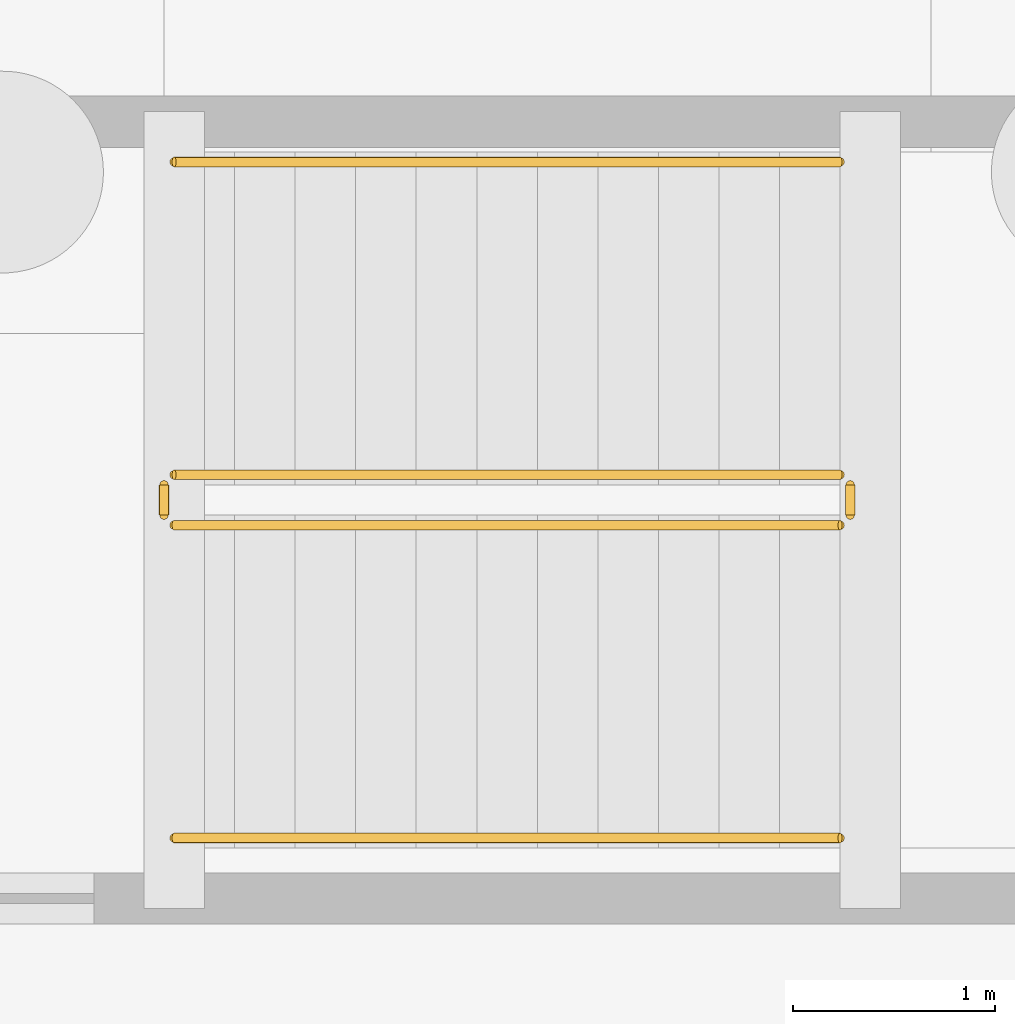
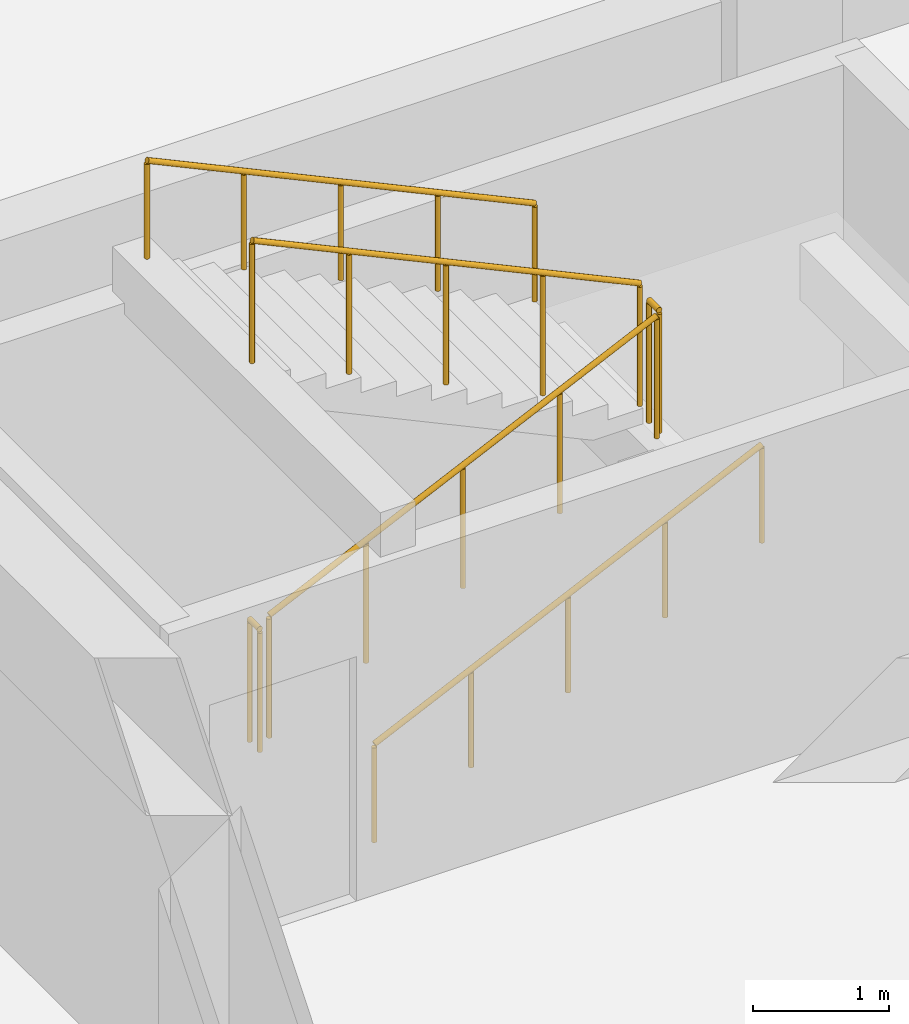
# One storey, part 57 of 70: 6 railings.
"""IFC4 building model written with IfcOpenShell, lengths in metres."""

from ifc_helpers import new_model, si_unit, direction, frame, origin, origin_2d, place, context, subcontext, project, spatial, circle, extrude, material, type_object, element, save


model = new_model("IFC4")

# Units and contexts
model_context = context("Model", 3, precision=1e-05, world=origin(), true_north=direction((0.0, 1.0)))
body_context = subcontext(model_context, "Body", "Model", "MODEL_VIEW")
ifc_project = project(units=[si_unit("LENGTHUNIT", "METRE"), si_unit("AREAUNIT", "SQUARE_METRE"), si_unit("VOLUMEUNIT", "CUBIC_METRE"), si_unit("PLANEANGLEUNIT", "RADIAN"), si_unit("MASSUNIT", "GRAM", prefix="KILO")], contexts=[model_context])

# Site, building, storey
site_placement = place(None, origin())
site = spatial("IfcSite", under=ifc_project, at=site_placement, CompositionType="ELEMENT")
building_placement = place(site_placement, origin())
building = spatial("IfcBuilding", under=site, at=building_placement, Name="Cumbredor Promenade Congress Hotel", CompositionType="ELEMENT")
storey_placement = place(building_placement, frame((0.0, 0.0, -7.56005859375)))
storey = spatial("IfcBuildingStorey", under=building, at=storey_placement, Name="B02", CompositionType="ELEMENT", Elevation=-7.56005859375)

# Railings
ifc_material = material(Name="Brushed stainless steel", Category="steel")
railing_type_1 = type_object("IfcRailingType", Name="Interior Void & Stair Guardrail GR-1100", PredefinedType="GUARDRAIL", material=ifc_material)
railing_1_placement = place(storey_placement, frame((10.75, 63.949951171875, 0.14013671875)))
element("IfcRailing", 1, at=railing_1_placement, inside=storey, type_object=railing_type_1, Name="B02 ST-06 stair guard 1", PredefinedType="GUARDRAIL", context=body_context, shape_type="SweptSolid", body=[
    extrude(circle(Radius=0.02392578125, at=origin_2d()), frame((0.0, 0.0, 1.09619140625), z_axis=(0.906181427284, 0.0, 0.422889135408), x_axis=(0.0, 1.0, 0.0)), (0.0, 0.0, 1.0), 3.6416015625),
    extrude(circle(Radius=0.02099609375, at=origin_2d()), origin(), (0.0, 0.0, 1.0), 1.072021484375),
    extrude(circle(Radius=0.02099609375, at=origin_2d()), frame((0.824951171875, 0.0, 0.385009765625)), (0.0, 0.0, 1.0), 1.072021484375),
    extrude(circle(Radius=0.02099609375, at=origin_2d()), frame((1.64990234375, 0.0, 0.77001953125)), (0.0, 0.0, 1.0), 1.072021484375),
    extrude(circle(Radius=0.02099609375, at=origin_2d()), frame((2.47509765625, 0.0, 1.155029296875)), (0.0, 0.0, 1.0), 1.072021484375),
    extrude(circle(Radius=0.02099609375, at=origin_2d()), frame((3.300048828125, 0.0, 1.5400390625)), (0.0, 0.0, 1.0), 1.072021484375),
])
railing_2_placement = place(storey_placement, frame((14.10009765625, 64.0, 1.68017578125)))
element("IfcRailing", 2, at=railing_2_placement, inside=storey, type_object=railing_type_1, Name="B02 ST-06 stair guard 2", PredefinedType="GUARDRAIL", context=body_context, shape_type="SweptSolid", body=[
    extrude(circle(Radius=0.02392578125, at=origin_2d()), frame((0.0, 0.0, 1.09619140625), z_axis=(0.0, 1.0, 0.0), x_axis=(-1.0, 0.0, 0.0)), (0.0, 0.0, 1.0), 0.14990234375),
    extrude(circle(Radius=0.02099609375, at=origin_2d()), origin(), (0.0, 0.0, 1.0), 1.072021484375),
    extrude(circle(Radius=0.02099609375, at=origin_2d()), frame((0.0, 0.14990234375, 0.0)), (0.0, 0.0, 1.0), 1.072021484375),
])
railing_3_placement = place(storey_placement, frame((14.050048828125, 64.199951171875, 1.820068359375)))
element("IfcRailing", 3, at=railing_3_placement, inside=storey, type_object=railing_type_1, Name="B02 ST-06 stair guard 3", PredefinedType="GUARDRAIL", context=body_context, shape_type="SweptSolid", body=[
    extrude(circle(Radius=0.02392578125, at=origin_2d()), frame((0.0, 0.0, 1.09619140625), z_axis=(-0.906181427284, 0.0, 0.422889135408), x_axis=(0.0, -1.0, 0.0)), (0.0, 0.0, 1.0), 3.6416015625),
    extrude(circle(Radius=0.02099609375, at=origin_2d()), origin(), (0.0, 0.0, 1.0), 1.072021484375),
    extrude(circle(Radius=0.02099609375, at=origin_2d()), frame((-0.824951171875, 0.0, 0.385009765625)), (0.0, 0.0, 1.0), 1.072021484375),
    extrude(circle(Radius=0.02099609375, at=origin_2d()), frame((-1.64990234375, 0.0, 0.77001953125)), (0.0, 0.0, 1.0), 1.072021484375),
    extrude(circle(Radius=0.02099609375, at=origin_2d()), frame((-2.47509765625, 0.0, 1.155029296875)), (0.0, 0.0, 1.0), 1.072021484375),
    extrude(circle(Radius=0.02099609375, at=origin_2d()), frame((-3.300048828125, 0.0, 1.5400390625)), (0.0, 0.0, 1.0), 1.072021484375),
])
railing_4_placement = place(storey_placement, frame((10.699951171875, 64.0, 0.0)))
element("IfcRailing", 4, at=railing_4_placement, inside=storey, type_object=railing_type_1, Name="B02 ST-06 stair guard 4", PredefinedType="GUARDRAIL", context=body_context, shape_type="SweptSolid", body=[
    extrude(circle(Radius=0.02392578125, at=origin_2d()), frame((0.0, 0.0, 1.09619140625), z_axis=(0.0, 1.0, 0.0), x_axis=(-1.0, 0.0, 0.0)), (0.0, 0.0, 1.0), 0.14990234375),
    extrude(circle(Radius=0.02099609375, at=origin_2d()), origin(), (0.0, 0.0, 1.0), 1.072021484375),
    extrude(circle(Radius=0.02099609375, at=origin_2d()), frame((0.0, 0.14990234375, 0.0)), (0.0, 0.0, 1.0), 1.072021484375),
])
railing_type_2 = type_object("IfcRailingType", Name="Stair Pitch Handrail HR-900", PredefinedType="HANDRAIL", material=ifc_material)
railing_5_placement = place(storey_placement, frame((10.75, 62.39990234375, 0.14013671875)))
element("IfcRailing", 5, at=railing_5_placement, inside=storey, type_object=railing_type_2, Name="B02 ST-06 stair handrail 1", PredefinedType="HANDRAIL", context=body_context, shape_type="SweptSolid", body=[
    extrude(circle(Radius=0.02392578125, at=origin_2d()), frame((0.0, 0.0, 0.8759765625), z_axis=(0.906181427284, 0.0, 0.422889135408), x_axis=(0.0, 1.0, 0.0)), (0.0, 0.0, 1.0), 3.6416015625),
    extrude(circle(Radius=0.02099609375, at=origin_2d()), origin(), (0.0, 0.0, 1.0), 0.851806640625),
    extrude(circle(Radius=0.02099609375, at=origin_2d()), frame((0.824951171875, 0.0, 0.385009765625)), (0.0, 0.0, 1.0), 0.851806640625),
    extrude(circle(Radius=0.02099609375, at=origin_2d()), frame((1.64990234375, 0.0, 0.77001953125)), (0.0, 0.0, 1.0), 0.851806640625),
    extrude(circle(Radius=0.02099609375, at=origin_2d()), frame((2.47509765625, 0.0, 1.155029296875)), (0.0, 0.0, 1.0), 0.851806640625),
    extrude(circle(Radius=0.02099609375, at=origin_2d()), frame((3.300048828125, 0.0, 1.5400390625)), (0.0, 0.0, 1.0), 0.851806640625),
])
railing_6_placement = place(storey_placement, frame((14.050048828125, 65.75, 1.820068359375)))
element("IfcRailing", 6, at=railing_6_placement, inside=storey, type_object=railing_type_2, Name="B02 ST-06 stair handrail 2", PredefinedType="HANDRAIL", context=body_context, shape_type="SweptSolid", body=[
    extrude(circle(Radius=0.02392578125, at=origin_2d()), frame((0.0, 0.0, 0.8759765625), z_axis=(-0.906181427284, 0.0, 0.422889135408), x_axis=(0.0, -1.0, 0.0)), (0.0, 0.0, 1.0), 3.6416015625),
    extrude(circle(Radius=0.02099609375, at=origin_2d()), origin(), (0.0, 0.0, 1.0), 0.851806640625),
    extrude(circle(Radius=0.02099609375, at=origin_2d()), frame((-0.824951171875, 0.0, 0.385009765625)), (0.0, 0.0, 1.0), 0.851806640625),
    extrude(circle(Radius=0.02099609375, at=origin_2d()), frame((-1.64990234375, 0.0, 0.77001953125)), (0.0, 0.0, 1.0), 0.851806640625),
    extrude(circle(Radius=0.02099609375, at=origin_2d()), frame((-2.47509765625, 0.0, 1.155029296875)), (0.0, 0.0, 1.0), 0.851806640625),
    extrude(circle(Radius=0.02099609375, at=origin_2d()), frame((-3.300048828125, 0.0, 1.5400390625)), (0.0, 0.0, 1.0), 0.851806640625),
])

save(model, "model.ifc")
